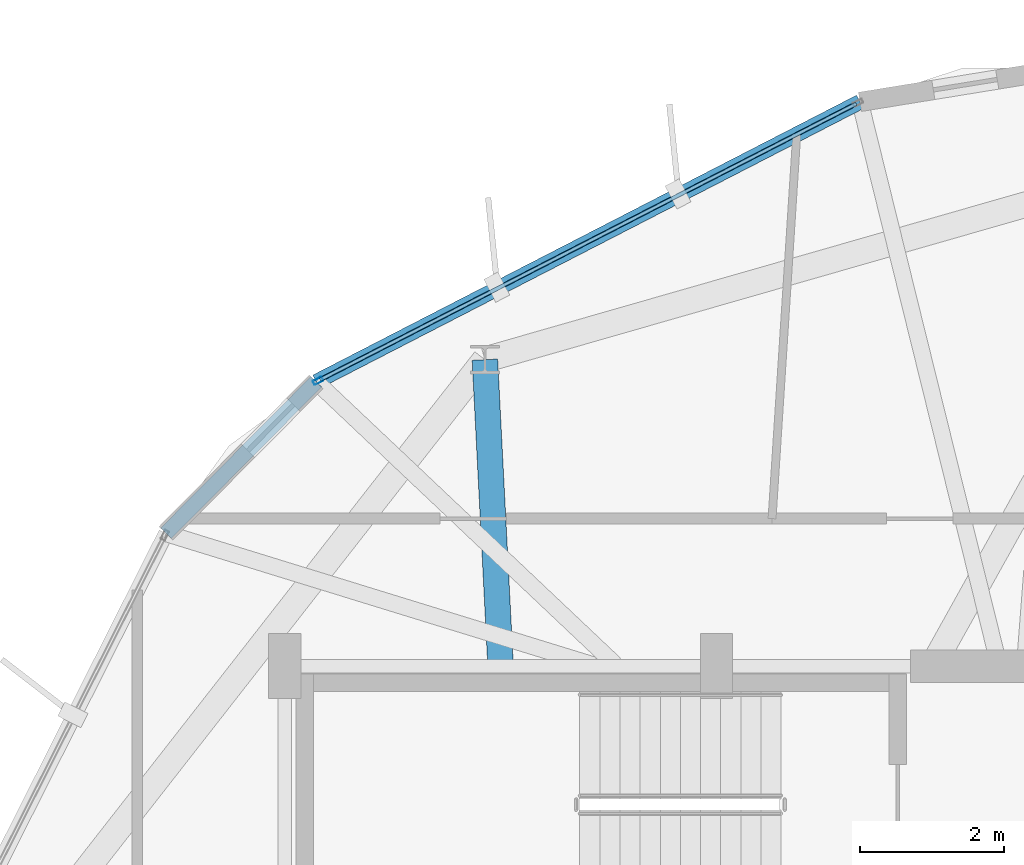
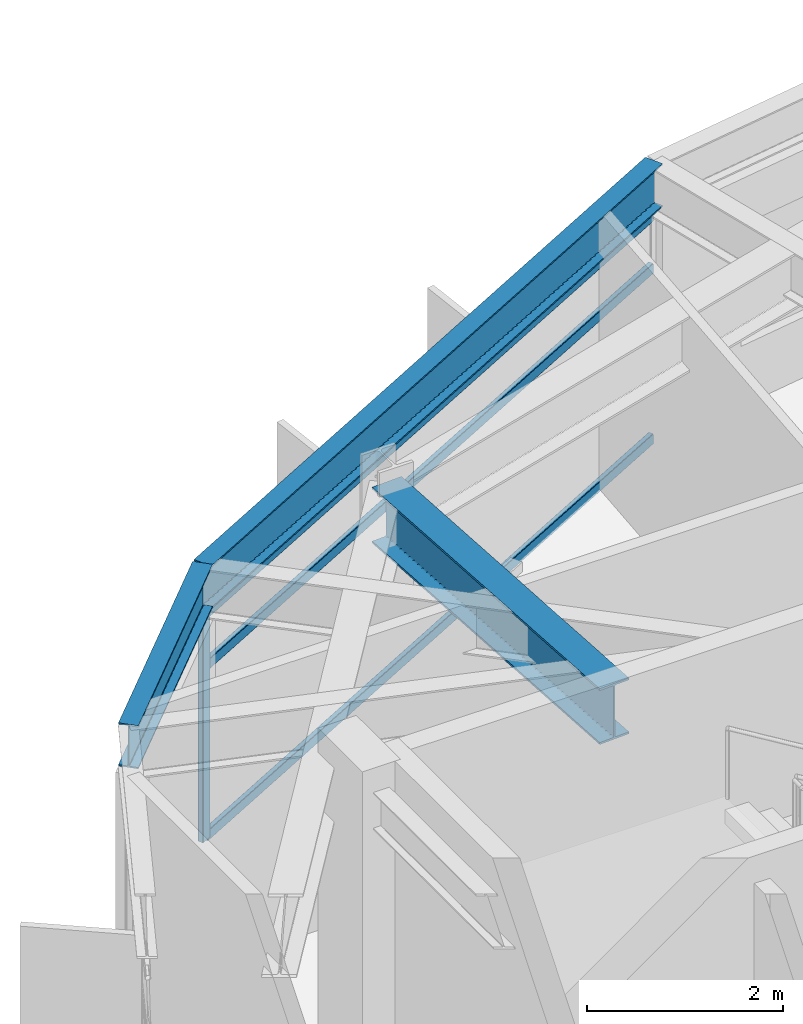
# One storey, part 12 of 22: 4 members, 3 beams, 1 element without a shape of its own.
"""IFC4 building model written with IfcOpenShell, lengths in metres."""

import ifcopenshell
import ifcopenshell.guid

model = None  # the IFC model being written
_history = None  # IfcOwnerHistory: only IFC2X3 demands one
_inside = {}  # id of a spatial element -> (the spatial element, [elements in it])
_under = {}  # id of a project, library or spatial element -> (it, [spatial elements below it])
_declared = {}  # id of a project -> (the project, [libraries it declares])
_typed = {}  # id of a type object -> (the type object, [elements of that type])
_made_of = {}  # id of a material, layer set ... -> (it, [elements and type objects made of it])


def new_model(schema):
    """Start an empty IFC model of exactly this schema.

    Asked for "IFC4X3", IfcOpenShell would pick the latest addendum, in which some entities
    have other attributes; the version numbers below select the first issue.
    IFC2X3 requires an IfcOwnerHistory on every rooted entity: one is made here for all.
    """
    global model, _history
    if schema == "IFC4X3":
        model = ifcopenshell.file(schema_version=(4, 3, 0, 0))
    else:
        model = ifcopenshell.file(schema=schema)
    _inside.clear()
    _under.clear()
    _declared.clear()
    _typed.clear()
    _made_of.clear()
    _history = None
    if model.schema == "IFC2X3":
        org = make("IfcOrganization", Name="unknown")
        user = make(
            "IfcPersonAndOrganization",
            ThePerson=make("IfcPerson", FamilyName="unknown"),
            TheOrganization=org,
        )
        app = make(
            "IfcApplication",
            ApplicationDeveloper=org,
            Version="unknown",
            ApplicationFullName="unknown",
            ApplicationIdentifier="unknown",
        )
        _history = make(
            "IfcOwnerHistory",
            OwningUser=user,
            OwningApplication=app,
            ChangeAction="ADDED",
            CreationDate=0,
        )
    return model


def make(cls, **values):
    """One entity of the class cls with the attributes given. An attribute that is None is left unset."""
    return model.create_entity(
        cls, **{name: value for name, value in values.items() if value is not None}
    )


def rooted(cls, **values):
    """An entity with a GlobalId (a new one), such as an element, a storey or a relation."""
    return make(cls, GlobalId=ifcopenshell.guid.new(), OwnerHistory=_history, **values)


def si_unit(unit_type, name, prefix=None):
    """IfcSIUnit, for example si_unit("LENGTHUNIT", "METRE", prefix="MILLI")."""
    return make("IfcSIUnit", UnitType=unit_type, Prefix=prefix, Name=name)


def assignment(units):
    """IfcUnitAssignment: the units of a project."""
    return None if units is None else make("IfcUnitAssignment", Units=units)


def point(xyz):
    """IfcCartesianPoint."""
    return None if xyz is None else make("IfcCartesianPoint", Coordinates=xyz)


def direction(xyz):
    """IfcDirection."""
    return None if xyz is None else make("IfcDirection", DirectionRatios=xyz)


def frame(location, z_axis=None, x_axis=None):
    """IfcAxis2Placement3D, a coordinate frame: its origin and axes. An axis left out is left unset."""
    return make(
        "IfcAxis2Placement3D",
        Location=point(location),
        Axis=direction(z_axis),
        RefDirection=direction(x_axis),
    )


def frame_2d(location, x_axis=None):
    """IfcAxis2Placement2D, a coordinate frame in the plane: its origin and x axis."""
    return make(
        "IfcAxis2Placement2D", Location=point(location), RefDirection=direction(x_axis)
    )


def origin():
    """The frame at (0, 0, 0) with its axes left unset."""
    return frame((0.0, 0.0, 0.0))


def origin_2d():
    """The frame at (0, 0) in the plane with its x axis left unset."""
    return frame_2d((0.0, 0.0))


def place(relative_to, where):
    """IfcLocalPlacement: puts the frame where relative to a parent placement (None: the world)."""
    return make(
        "IfcLocalPlacement", PlacementRelTo=relative_to, RelativePlacement=where
    )


def context(
    kind, dimensions, precision=None, world=None, true_north=None, identifier=None
):
    """IfcGeometricRepresentationContext, for example the 3D "Model" context."""
    return make(
        "IfcGeometricRepresentationContext",
        ContextIdentifier=identifier,
        ContextType=kind,
        CoordinateSpaceDimension=dimensions,
        Precision=precision,
        WorldCoordinateSystem=world,
        TrueNorth=true_north,
    )


def subcontext(parent, identifier, kind, view, scale=None):
    """IfcGeometricRepresentationSubContext, for example "Body" below "Model"."""
    return make(
        "IfcGeometricRepresentationSubContext",
        ContextIdentifier=identifier,
        ContextType=kind,
        ParentContext=parent,
        TargetScale=scale,
        TargetView=view,
    )


def project(units=None, contexts=None):
    """IfcProject with its units and contexts."""
    return rooted(
        "IfcProject",
        Name="project",
        RepresentationContexts=contexts,
        UnitsInContext=assignment(units),
    )


def spatial(cls, under=None, at=None, **own):
    """A site, building, storey or space (cls), placed at a placement, below another one or the project."""
    s = rooted(cls, ObjectPlacement=at, **own)
    if under is not None:
        _under.setdefault(under.id(), (under, []))[1].append(s)
    return s


def profile(cls, at=None, kind="AREA", **sizes):
    """A parametric profile (cls). Its sizes go by their IFC names, for example OverallWidth=200.0."""
    return make(cls, ProfileType=kind, Position=at, **sizes)


def hollow_rectangle(**sizes):
    """IfcRectangleHollowProfileDef."""
    return profile("IfcRectangleHollowProfileDef", **sizes)


def i_section(**sizes):
    """IfcIShapeProfileDef."""
    return profile("IfcIShapeProfileDef", **sizes)


def extrude(swept, where, along, depth):
    """IfcExtrudedAreaSolid: the profile swept, set in the frame where, extruded along a direction by depth."""
    return make(
        "IfcExtrudedAreaSolid",
        SweptArea=swept,
        Position=where,
        ExtrudedDirection=direction(along),
        Depth=depth,
    )


def shape(context_of_items, identifier, shape_type, items):
    """IfcShapeRepresentation: the items that make up one representation, for example the "Body"."""
    return make(
        "IfcShapeRepresentation",
        ContextOfItems=context_of_items,
        RepresentationIdentifier=identifier,
        RepresentationType=shape_type,
        Items=items,
    )


def material(Name=None, Category=None):
    """IfcMaterial."""
    return make("IfcMaterial", Name=Name, Category=Category)


def layer(
    of_material, thickness, ventilated=None, Name=None, Category=None, Priority=None
):
    """IfcMaterialLayer: one layer of a wall or slab, of a material (None: an air gap)."""
    return make(
        "IfcMaterialLayer",
        Material=of_material,
        LayerThickness=thickness,
        IsVentilated=ventilated,
        Name=Name,
        Category=Category,
        Priority=Priority,
    )


def layer_set(layers, Name=None):
    """IfcMaterialLayerSet."""
    return make("IfcMaterialLayerSet", MaterialLayers=layers, LayerSetName=Name)


def material_profile(
    of_material, cross_section, Name=None, Category=None, Priority=None
):
    """IfcMaterialProfile: a cross section and its material."""
    return make(
        "IfcMaterialProfile",
        Name=Name,
        Material=of_material,
        Profile=cross_section,
        Priority=Priority,
        Category=Category,
    )


def profile_set(profiles, Name=None, composite=None):
    """IfcMaterialProfileSet."""
    return make(
        "IfcMaterialProfileSet",
        Name=Name,
        MaterialProfiles=profiles,
        CompositeProfile=composite,
    )


def made_of(thing, what):
    """Note that an element or type object is made of a material, layer set ...; save() writes the relation."""
    if what is not None:
        _made_of.setdefault(what.id(), (what, []))[1].append(thing)
    return thing


def type_object(cls, material=None, **own):
    """A type object (cls), such as IfcWallType, which elements share."""
    return made_of(rooted(cls, **own), material)


def element(
    cls,
    number,
    at=None,
    inside=None,
    cuts=None,
    type_object=None,
    material=None,
    context=None,
    identifier="Body",
    shape_type=None,
    held_by="IfcProductDefinitionShape",
    body=None,
    shapes=None,
    **own,
):
    """One element of the class cls, such as IfcWall. Its Tag is "e" and its number.

    at: its placement. inside: the storey or other place that contains it. cuts: it is an
    opening in that element (IfcRelVoidsElement). A single representation is given by context,
    identifier, shape_type and body (its items); several are given by shapes. held_by: the class
    of the entity that holds the representations. save() writes the other relations.
    """
    e = rooted(cls, Tag="e%d" % number, ObjectPlacement=at, **own)
    if body is not None:
        shapes = [shape(context, identifier, shape_type, body)]
    if shapes is not None:
        e.Representation = make(held_by, Representations=shapes)
    if inside is not None:
        _inside.setdefault(inside.id(), (inside, []))[1].append(e)
    if cuts is not None:
        rooted(
            "IfcRelVoidsElement", RelatingBuildingElement=cuts, RelatedOpeningElement=e
        )
    if type_object is not None:
        _typed.setdefault(type_object.id(), (type_object, []))[1].append(e)
    return made_of(e, material)


def aggregate(whole, parts):
    """IfcRelAggregates: a whole, such as a stair, and the parts it consists of."""
    return rooted("IfcRelAggregates", RelatingObject=whole, RelatedObjects=parts)


def save(model, path):
    """Write the relations noted so far, then the file.

    IfcRelAggregates (storeys below a building ...), IfcRelContainedInSpatialStructure (elements
    in a storey), IfcRelDefinesByType, IfcRelAssociatesMaterial and IfcRelDeclares: one each for
    every whole, place, type object, material and project.
    """
    for whole, parts in _under.values():
        aggregate(whole, parts)
    for where, things in _inside.values():
        rooted(
            "IfcRelContainedInSpatialStructure",
            RelatedElements=things,
            RelatingStructure=where,
        )
    for kind, things in _typed.values():
        rooted("IfcRelDefinesByType", RelatedObjects=things, RelatingType=kind)
    for what, things in _made_of.values():
        rooted("IfcRelAssociatesMaterial", RelatedObjects=things, RelatingMaterial=what)
    for by, libraries in _declared.values():
        rooted("IfcRelDeclares", RelatingContext=by, RelatedDefinitions=libraries)
    model.write(path)


model = new_model("IFC4")

# Units and contexts
model_context = context("Model", 3, precision=1e-05, world=origin(), true_north=direction((0.0, 1.0)))
body_context = subcontext(model_context, "Body", "Model", "MODEL_VIEW")
ifc_project = project(units=[si_unit("LENGTHUNIT", "METRE"), si_unit("AREAUNIT", "SQUARE_METRE"), si_unit("VOLUMEUNIT", "CUBIC_METRE"), si_unit("PLANEANGLEUNIT", "RADIAN"), si_unit("MASSUNIT", "GRAM", prefix="KILO")], contexts=[model_context])

# Site, building, storey
site_placement = place(None, origin())
site = spatial("IfcSite", under=ifc_project, at=site_placement, CompositionType="ELEMENT")
building_placement = place(site_placement, origin())
building = spatial("IfcBuilding", under=site, at=building_placement, Name="Soratama Intermodal Tower", CompositionType="ELEMENT")
storey_placement = place(building_placement, frame((0.0, 0.0, 265.0)))
storey = spatial("IfcBuildingStorey", under=building, at=storey_placement, Name="L67", CompositionType="ELEMENT", Elevation=265.0)

# Beams
ifc_material_1 = material(Name="Structural steel ASTM A992 Grade 50", Category="steel")
ifc_material_profile_1 = material_profile(ifc_material_1, i_section(OverallWidth=0.35498046875, OverallDepth=0.695068359375, WebThickness=0.015380859375, FlangeThickness=0.02490234375, FilletRadius=0.01611328125, at=origin_2d()), Name="W27X146")
ifc_profile_set_1 = profile_set([ifc_material_profile_1], Name="Structural steel ASTM A992 Grade 50")
beam_type_1 = type_object("IfcBeamType", Name="BM-RING-W27X146", PredefinedType="BEAM", material=ifc_profile_set_1)
beam_1_placement = place(storey_placement, frame((35.60009765625, 35.0, 3.1025390625), z_axis=(-0.051122516685, 0.998692389221, 0.0), x_axis=(-0.998692389221, -0.051122516685, 0.0)))
element("IfcBeam", 1, at=beam_1_placement, inside=storey, type_object=beam_type_1, Name="BM-L67-RAD-04", PredefinedType="BEAM", context=body_context, shape_type="SweptSolid", body=[
    extrude(i_section(OverallWidth=0.35498046875, OverallDepth=0.695068359375, WebThickness=0.015380859375, FlangeThickness=0.02490234375, FilletRadius=0.01611328125, at=origin_2d()), origin(), (0.0, 0.0, 1.0), 4.2646484375),
])
ifc_material_2 = material(Name="Structural steel ASTM A992 Grade 50", Category="steel")
ifc_material_profile_2 = material_profile(ifc_material_2, i_section(OverallWidth=0.2099609375, OverallDepth=0.537109375, WebThickness=0.010986328125, FlangeThickness=0.017333984375, FilletRadius=0.012939453125, at=origin_2d()), Name="W21X68")
ifc_profile_set_2 = profile_set([ifc_material_profile_2], Name="Structural steel ASTM A992 Grade 50")
beam_type_2 = type_object("IfcBeamType", Name="BM-SPN-W21X68", PredefinedType="SPANDREL", material=ifc_profile_set_2)
beam_2_placement = place(storey_placement, frame((40.594970703125, 42.842041015625, 3.181396484375), z_axis=(-0.889108822859, -0.457695860932, 0.0), x_axis=(0.457695860932, -0.889108822859, 0.0)))
element("IfcBeam", 2, at=beam_2_placement, inside=storey, type_object=beam_type_2, Name="BS-L67-F02", PredefinedType="SPANDREL", context=body_context, shape_type="SweptSolid", body=[
    extrude(i_section(OverallWidth=0.2099609375, OverallDepth=0.537109375, WebThickness=0.010986328125, FlangeThickness=0.017333984375, FilletRadius=0.012939453125, at=origin_2d()), origin(), (0.0, 0.0, 1.0), 8.49951171875),
])
beam_3_placement = place(storey_placement, frame((33.0380859375, 38.951904296875, 3.181396484375), z_axis=(-0.70409706741, -0.710103738664, 0.0), x_axis=(0.710103738664, -0.70409706741, 0.0)))
element("IfcBeam", 3, at=beam_3_placement, inside=storey, type_object=beam_type_2, Name="BS-L67-CRN02", PredefinedType="SPANDREL", context=body_context, shape_type="SweptSolid", body=[
    extrude(i_section(OverallWidth=0.2099609375, OverallDepth=0.537109375, WebThickness=0.010986328125, FlangeThickness=0.017333984375, FilletRadius=0.012939453125, at=origin_2d()), origin(), (0.0, 0.0, 1.0), 2.967041015625),
])

# Curtain wall, members
ifc_material_3 = material(Name="Double-glazed aluminium curtain wall", Category="aluminium")
ifc_layer = layer(ifc_material_3, 0.159912109375)
ifc_layer_set = layer_set([ifc_layer], Name="Double-glazed aluminium curtain wall")
curtain_wall_type = type_object("IfcCurtainWallType", Name="CW-SYS-5", PredefinedType="NOTDEFINED", material=ifc_layer_set)
curtain_wall_placement = place(storey_placement, origin())
curtain_wall = element("IfcCurtainWall", 4, at=curtain_wall_placement, inside=storey, type_object=curtain_wall_type, Name="L67 Faceted Curtain Wall F02", PredefinedType="NOTDEFINED")
ifc_material_4 = material(Name="Anodised aluminium AA 6063-T6", Category="aluminium")
ifc_material_profile_3 = material_profile(ifc_material_4, hollow_rectangle(XDim=0.06494140625, YDim=0.139892578125, WallThickness=0.0048828125, InnerFilletRadius=0.0048828125, OuterFilletRadius=0.010009765625, at=origin_2d()), Name="CWM140X65X5")
ifc_profile_set_3 = profile_set([ifc_material_profile_3], Name="Anodised aluminium AA 6063-T6")
member_type_1 = type_object("IfcMemberType", Name="MT-CWM-5", PredefinedType="MULLION", material=ifc_profile_set_3)
member_1_placement = place(storey_placement, frame((33.064208984375, 38.96533203125, 0.0), z_axis=(0.0, 0.0, 1.0), x_axis=(0.457719342796, -0.889096734461, 0.0)))
member_1 = element("IfcMember", 5, at=member_1_placement, type_object=member_type_1, Name="CW-5 mullion 2", PredefinedType="MULLION", context=body_context, shape_type="SweptSolid", body=[
    extrude(hollow_rectangle(XDim=0.06494140625, YDim=0.139892578125, WallThickness=0.0048828125, InnerFilletRadius=0.0048828125, OuterFilletRadius=0.010009765625, at=origin_2d()), origin(), (0.0, 0.0, 1.0), 2.8291015625),
])
ifc_material_5 = material(Name="Anodised aluminium AA 6063-T6", Category="aluminium")
ifc_material_profile_4 = material_profile(ifc_material_5, hollow_rectangle(XDim=0.06005859375, YDim=0.1298828125, WallThickness=0.0048828125, InnerFilletRadius=0.0048828125, OuterFilletRadius=0.010009765625, at=origin_2d()), Name="CWT130X60X5")
ifc_profile_set_4 = profile_set([ifc_material_profile_4], Name="Anodised aluminium AA 6063-T6")
member_type_2 = type_object("IfcMemberType", Name="TT-CWT-2", PredefinedType="USERDEFINED", material=ifc_profile_set_4)
member_2_placement = place(storey_placement, frame((40.541259765625, 42.814697265625, 0.030029296875), z_axis=(-0.889103555288, -0.457706093442, 0.0), x_axis=(0.457706093442, -0.889103555288, 0.0)))
member_2 = element("IfcMember", 6, at=member_2_placement, type_object=member_type_2, Name="CW-5 transom 1.1", ObjectType="TRANSOM", PredefinedType="USERDEFINED", context=body_context, shape_type="SweptSolid", body=[
    extrude(hollow_rectangle(XDim=0.06005859375, YDim=0.1298828125, WallThickness=0.0048828125, InnerFilletRadius=0.0048828125, OuterFilletRadius=0.010009765625, at=origin_2d()), origin(), (0.0, 0.0, 1.0), 8.379638671875),
])
member_3_placement = place(storey_placement, frame((40.541259765625, 42.814697265625, 2.14990234375), z_axis=(-0.889103555288, -0.457706093442, 0.0), x_axis=(0.457706093442, -0.889103555288, 0.0)))
member_3 = element("IfcMember", 7, at=member_3_placement, type_object=member_type_2, Name="CW-5 transom 1.2", ObjectType="TRANSOM", PredefinedType="USERDEFINED", context=body_context, shape_type="SweptSolid", body=[
    extrude(hollow_rectangle(XDim=0.06005859375, YDim=0.1298828125, WallThickness=0.0048828125, InnerFilletRadius=0.0048828125, OuterFilletRadius=0.010009765625, at=origin_2d()), origin(), (0.0, 0.0, 1.0), 8.379638671875),
])
member_4_placement = place(storey_placement, frame((40.541259765625, 42.814697265625, 2.799072265625), z_axis=(-0.889103555288, -0.457706093442, 0.0), x_axis=(0.457706093442, -0.889103555288, 0.0)))
member_4 = element("IfcMember", 8, at=member_4_placement, type_object=member_type_2, Name="CW-5 transom 1.3", ObjectType="TRANSOM", PredefinedType="USERDEFINED", context=body_context, shape_type="SweptSolid", body=[
    extrude(hollow_rectangle(XDim=0.06005859375, YDim=0.1298828125, WallThickness=0.0048828125, InnerFilletRadius=0.0048828125, OuterFilletRadius=0.010009765625, at=origin_2d()), origin(), (0.0, 0.0, 1.0), 8.379638671875),
])
aggregate(curtain_wall, [member_1, member_2, member_3, member_4])

save(model, "model.ifc")
